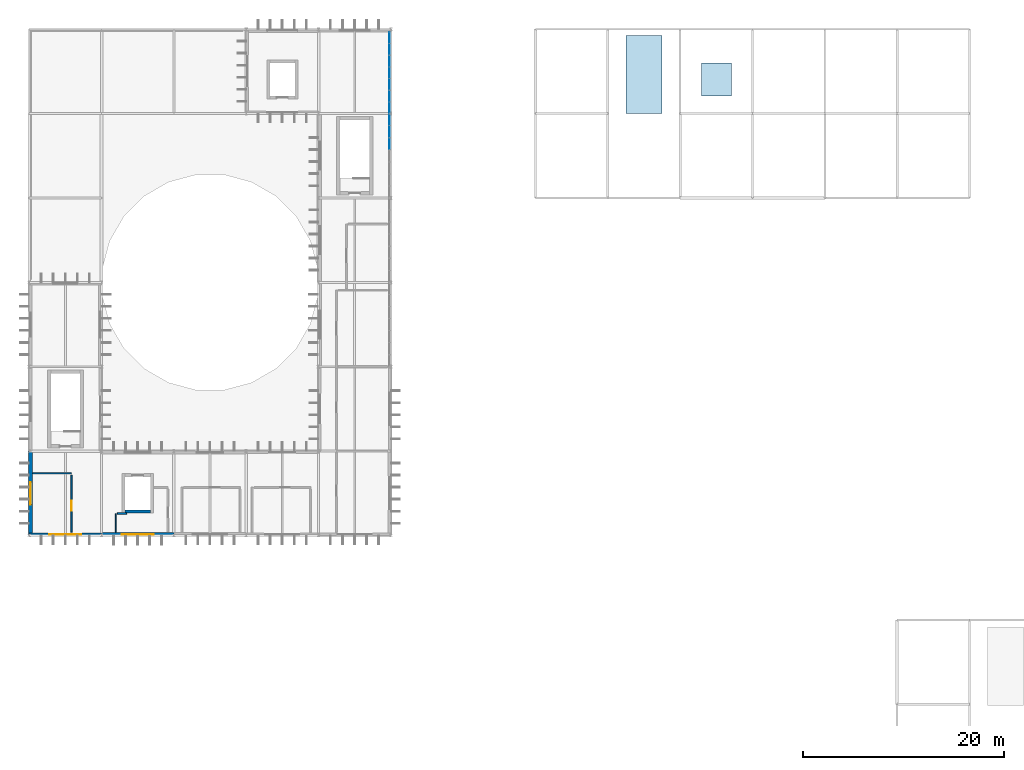
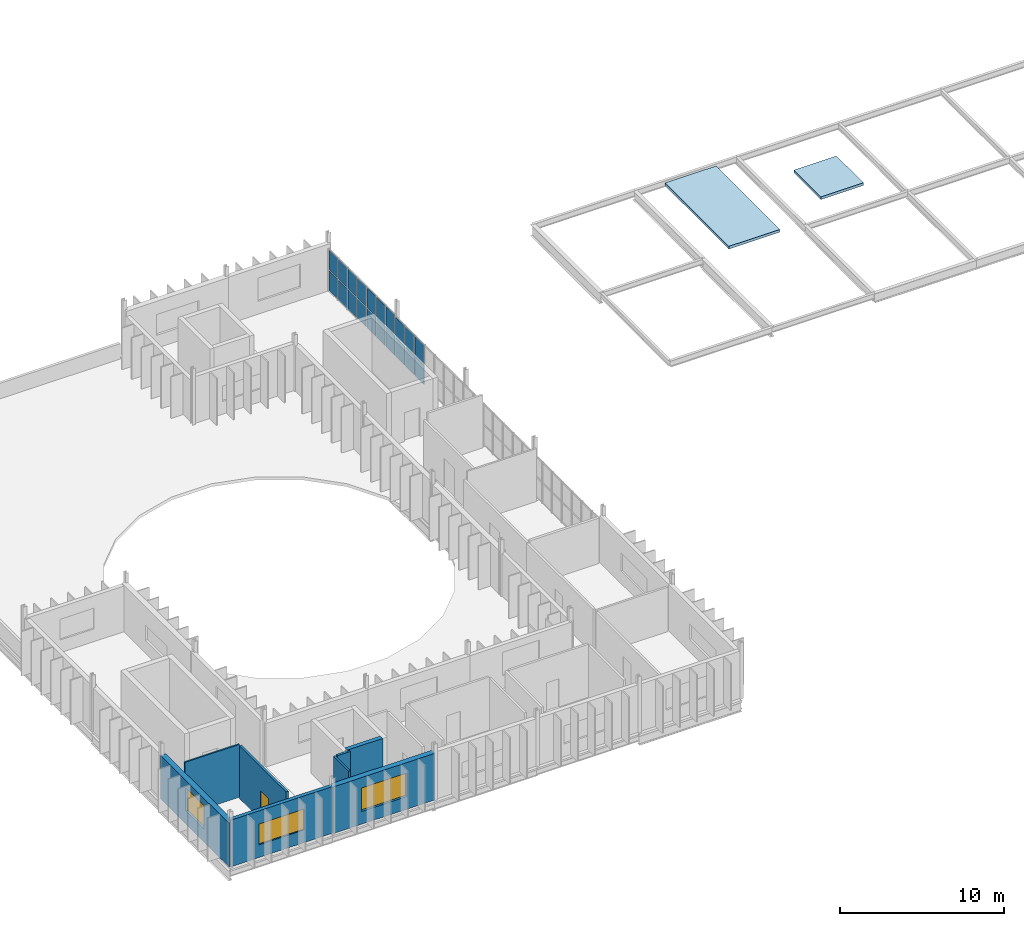
# One storey, part 14 of 18: 20 plates, 8 walls, 3 windows, 2 slabs, 1 door, 4 openings, 2 elements without a shape of their own.
"""IFC4 building model written with IfcOpenShell, lengths in metres."""

from ifc_helpers import new_model, si_unit, direction, frame, frame_2d, origin, origin_2d, place, context, subcontext, project, spatial, polyline, rectangle, outline, extrude, material, layer, layer_set, type_object, element, fill, aggregate, save


model = new_model("IFC4")

# Units and contexts
model_context = context("Model", 3, precision=1e-05, world=origin(), true_north=direction((0.0, 1.0)))
body_context = subcontext(model_context, "Body", "Model", "MODEL_VIEW")
ifc_project = project(units=[si_unit("LENGTHUNIT", "METRE"), si_unit("AREAUNIT", "SQUARE_METRE"), si_unit("VOLUMEUNIT", "CUBIC_METRE"), si_unit("PLANEANGLEUNIT", "RADIAN"), si_unit("MASSUNIT", "GRAM", prefix="KILO")], contexts=[model_context])

# Site, building, storey
site_placement = place(None, origin())
site = spatial("IfcSite", under=ifc_project, at=site_placement, CompositionType="ELEMENT")
building_placement = place(site_placement, origin())
building = spatial("IfcBuilding", under=site, at=building_placement, Name="Qelthora Terrace Specialist Clinic", CompositionType="ELEMENT")
storey_placement = place(building_placement, frame((0.0, 0.0, 21.60009765625)))
storey = spatial("IfcBuildingStorey", under=building, at=storey_placement, Name="L05", CompositionType="ELEMENT", Elevation=21.60009765625)

# Curtain wall, plates
ifc_material_1 = material(Name="Aluminium anodized bronze", Category="aluminium")
curtain_wall_type = type_object("IfcCurtainWallType", Name="CW-NRS-L05", PredefinedType="NOTDEFINED", material=ifc_material_1)
curtain_wall_1_placement = place(storey_placement, origin())
curtain_wall_1 = element("IfcCurtainWall", 1, at=curtain_wall_1_placement, inside=storey, type_object=curtain_wall_type, Name="Curtain wall CW-L05-270", PredefinedType="NOTDEFINED")
ifc_material_2 = material(Name="Low-E triple-silver insulating glass", Category="glass")
ifc_layer_1 = layer(ifc_material_2, 0.035888671875)
ifc_layer_set_1 = layer_set([ifc_layer_1], Name="Low-E triple-silver insulating glass")
plate_type = type_object("IfcPlateType", Name="CWP-IGU-36", PredefinedType="CURTAIN_PANEL", material=ifc_layer_set_1)
plate_1_placement = place(storey_placement, frame((43.080078125, 97.800048828125, 0.0849609375), z_axis=(0.0, 0.0, 1.0), x_axis=(0.0, 1.0, 0.0)))
plate_1 = element("IfcPlate", 2, at=plate_1_placement, type_object=plate_type, Name="CW-L05-270 glazed panel 9", PredefinedType="CURTAIN_PANEL", context=body_context, shape_type="SweptSolid", body=[
    extrude(rectangle(XDim=1.10009765625, YDim=0.035888671875, at=origin_2d()), origin(), (0.0, 0.0, 1.0), 1.41552734375),
])
plate_2_placement = place(storey_placement, frame((43.080078125, 97.800048828125, 1.59033203125), z_axis=(0.0, 0.0, 1.0), x_axis=(0.0, 1.0, 0.0)))
plate_2 = element("IfcPlate", 3, at=plate_2_placement, type_object=plate_type, Name="CW-L05-270 glazed panel 10", PredefinedType="CURTAIN_PANEL", context=body_context, shape_type="SweptSolid", body=[
    extrude(rectangle(XDim=1.10009765625, YDim=0.035888671875, at=origin_2d()), origin(), (0.0, 0.0, 1.0), 1.41552734375),
])
plate_3_placement = place(storey_placement, frame((43.080078125, 99.0, 0.0849609375), z_axis=(0.0, 0.0, 1.0), x_axis=(0.0, 1.0, 0.0)))
plate_3 = element("IfcPlate", 4, at=plate_3_placement, type_object=plate_type, Name="CW-L05-270 glazed panel 11", PredefinedType="CURTAIN_PANEL", context=body_context, shape_type="SweptSolid", body=[
    extrude(rectangle(XDim=1.10009765625, YDim=0.035888671875, at=origin_2d()), origin(), (0.0, 0.0, 1.0), 1.41552734375),
])
plate_4_placement = place(storey_placement, frame((43.080078125, 99.0, 1.59033203125), z_axis=(0.0, 0.0, 1.0), x_axis=(0.0, 1.0, 0.0)))
plate_4 = element("IfcPlate", 5, at=plate_4_placement, type_object=plate_type, Name="CW-L05-270 glazed panel 12", PredefinedType="CURTAIN_PANEL", context=body_context, shape_type="SweptSolid", body=[
    extrude(rectangle(XDim=1.10009765625, YDim=0.035888671875, at=origin_2d()), origin(), (0.0, 0.0, 1.0), 1.41552734375),
])
plate_5_placement = place(storey_placement, frame((43.080078125, 100.199951171875, 0.0849609375), z_axis=(0.0, 0.0, 1.0), x_axis=(0.0, 1.0, 0.0)))
plate_5 = element("IfcPlate", 6, at=plate_5_placement, type_object=plate_type, Name="CW-L05-270 glazed panel 13", PredefinedType="CURTAIN_PANEL", context=body_context, shape_type="SweptSolid", body=[
    extrude(rectangle(XDim=1.10009765625, YDim=0.035888671875, at=origin_2d()), origin(), (0.0, 0.0, 1.0), 1.41552734375),
])
plate_6_placement = place(storey_placement, frame((43.080078125, 100.199951171875, 1.59033203125), z_axis=(0.0, 0.0, 1.0), x_axis=(0.0, 1.0, 0.0)))
plate_6 = element("IfcPlate", 7, at=plate_6_placement, type_object=plate_type, Name="CW-L05-270 glazed panel 14", PredefinedType="CURTAIN_PANEL", context=body_context, shape_type="SweptSolid", body=[
    extrude(rectangle(XDim=1.10009765625, YDim=0.035888671875, at=origin_2d()), origin(), (0.0, 0.0, 1.0), 1.41552734375),
])
aggregate(curtain_wall_1, [plate_1, plate_2, plate_3, plate_4, plate_5, plate_6])

curtain_wall_2_placement = place(storey_placement, origin())
curtain_wall_2 = element("IfcCurtainWall", 8, at=curtain_wall_2_placement, inside=storey, type_object=curtain_wall_type, Name="Curtain wall CW-L05-271", PredefinedType="NOTDEFINED")
plate_7_placement = place(storey_placement, frame((43.080078125, 101.38134765625, 0.0849609375), z_axis=(0.0, 0.0, 1.0), x_axis=(0.0, 1.0, 0.0)))
plate_7 = element("IfcPlate", 9, at=plate_7_placement, type_object=plate_type, Name="CW-L05-271 glazed panel 1", PredefinedType="CURTAIN_PANEL", context=body_context, shape_type="SweptSolid", body=[
    extrude(rectangle(XDim=1.062744140625, YDim=0.035888671875, at=origin_2d()), origin(), (0.0, 0.0, 1.0), 1.4560546875),
])
plate_8_placement = place(storey_placement, frame((43.080078125, 101.38134765625, 1.630859375), z_axis=(0.0, 0.0, 1.0), x_axis=(0.0, 1.0, 0.0)))
plate_8 = element("IfcPlate", 10, at=plate_8_placement, type_object=plate_type, Name="CW-L05-271 glazed panel 2", PredefinedType="CURTAIN_PANEL", context=body_context, shape_type="SweptSolid", body=[
    extrude(rectangle(XDim=1.062744140625, YDim=0.035888671875, at=origin_2d()), origin(), (0.0, 0.0, 1.0), 1.4560546875),
])
plate_9_placement = place(storey_placement, frame((43.080078125, 102.544189453125, 0.0849609375), z_axis=(0.0, 0.0, 1.0), x_axis=(0.0, 1.0, 0.0)))
plate_9 = element("IfcPlate", 11, at=plate_9_placement, type_object=plate_type, Name="CW-L05-271 glazed panel 3", PredefinedType="CURTAIN_PANEL", context=body_context, shape_type="SweptSolid", body=[
    extrude(rectangle(XDim=1.062744140625, YDim=0.035888671875, at=origin_2d()), origin(), (0.0, 0.0, 1.0), 1.4560546875),
])
plate_10_placement = place(storey_placement, frame((43.080078125, 102.544189453125, 1.630859375), z_axis=(0.0, 0.0, 1.0), x_axis=(0.0, 1.0, 0.0)))
plate_10 = element("IfcPlate", 12, at=plate_10_placement, type_object=plate_type, Name="CW-L05-271 glazed panel 4", PredefinedType="CURTAIN_PANEL", context=body_context, shape_type="SweptSolid", body=[
    extrude(rectangle(XDim=1.062744140625, YDim=0.035888671875, at=origin_2d()), origin(), (0.0, 0.0, 1.0), 1.4560546875),
])
plate_11_placement = place(storey_placement, frame((43.080078125, 103.70703125, 0.0849609375), z_axis=(0.0, 0.0, 1.0), x_axis=(0.0, 1.0, 0.0)))
plate_11 = element("IfcPlate", 13, at=plate_11_placement, type_object=plate_type, Name="CW-L05-271 glazed panel 5", PredefinedType="CURTAIN_PANEL", context=body_context, shape_type="SweptSolid", body=[
    extrude(rectangle(XDim=1.062744140625, YDim=0.035888671875, at=origin_2d()), origin(), (0.0, 0.0, 1.0), 1.4560546875),
])
plate_12_placement = place(storey_placement, frame((43.080078125, 103.70703125, 1.630859375), z_axis=(0.0, 0.0, 1.0), x_axis=(0.0, 1.0, 0.0)))
plate_12 = element("IfcPlate", 14, at=plate_12_placement, type_object=plate_type, Name="CW-L05-271 glazed panel 6", PredefinedType="CURTAIN_PANEL", context=body_context, shape_type="SweptSolid", body=[
    extrude(rectangle(XDim=1.062744140625, YDim=0.035888671875, at=origin_2d()), origin(), (0.0, 0.0, 1.0), 1.4560546875),
])
plate_13_placement = place(storey_placement, frame((43.080078125, 104.8701171875, 0.0849609375), z_axis=(0.0, 0.0, 1.0), x_axis=(0.0, 1.0, 0.0)))
plate_13 = element("IfcPlate", 15, at=plate_13_placement, type_object=plate_type, Name="CW-L05-271 glazed panel 7", PredefinedType="CURTAIN_PANEL", context=body_context, shape_type="SweptSolid", body=[
    extrude(rectangle(XDim=1.062744140625, YDim=0.035888671875, at=origin_2d()), origin(), (0.0, 0.0, 1.0), 1.4560546875),
])
plate_14_placement = place(storey_placement, frame((43.080078125, 104.8701171875, 1.630859375), z_axis=(0.0, 0.0, 1.0), x_axis=(0.0, 1.0, 0.0)))
plate_14 = element("IfcPlate", 16, at=plate_14_placement, type_object=plate_type, Name="CW-L05-271 glazed panel 8", PredefinedType="CURTAIN_PANEL", context=body_context, shape_type="SweptSolid", body=[
    extrude(rectangle(XDim=1.062744140625, YDim=0.035888671875, at=origin_2d()), origin(), (0.0, 0.0, 1.0), 1.4560546875),
])
plate_15_placement = place(storey_placement, frame((43.080078125, 106.032958984375, 0.0849609375), z_axis=(0.0, 0.0, 1.0), x_axis=(0.0, 1.0, 0.0)))
plate_15 = element("IfcPlate", 17, at=plate_15_placement, type_object=plate_type, Name="CW-L05-271 glazed panel 9", PredefinedType="CURTAIN_PANEL", context=body_context, shape_type="SweptSolid", body=[
    extrude(rectangle(XDim=1.062744140625, YDim=0.035888671875, at=origin_2d()), origin(), (0.0, 0.0, 1.0), 1.4560546875),
])
plate_16_placement = place(storey_placement, frame((43.080078125, 106.032958984375, 1.630859375), z_axis=(0.0, 0.0, 1.0), x_axis=(0.0, 1.0, 0.0)))
plate_16 = element("IfcPlate", 18, at=plate_16_placement, type_object=plate_type, Name="CW-L05-271 glazed panel 10", PredefinedType="CURTAIN_PANEL", context=body_context, shape_type="SweptSolid", body=[
    extrude(rectangle(XDim=1.062744140625, YDim=0.035888671875, at=origin_2d()), origin(), (0.0, 0.0, 1.0), 1.4560546875),
])
plate_17_placement = place(storey_placement, frame((43.080078125, 107.19580078125, 0.0849609375), z_axis=(0.0, 0.0, 1.0), x_axis=(0.0, 1.0, 0.0)))
plate_17 = element("IfcPlate", 19, at=plate_17_placement, type_object=plate_type, Name="CW-L05-271 glazed panel 11", PredefinedType="CURTAIN_PANEL", context=body_context, shape_type="SweptSolid", body=[
    extrude(rectangle(XDim=1.062744140625, YDim=0.035888671875, at=origin_2d()), origin(), (0.0, 0.0, 1.0), 1.4560546875),
])
plate_18_placement = place(storey_placement, frame((43.080078125, 107.19580078125, 1.630859375), z_axis=(0.0, 0.0, 1.0), x_axis=(0.0, 1.0, 0.0)))
plate_18 = element("IfcPlate", 20, at=plate_18_placement, type_object=plate_type, Name="CW-L05-271 glazed panel 12", PredefinedType="CURTAIN_PANEL", context=body_context, shape_type="SweptSolid", body=[
    extrude(rectangle(XDim=1.062744140625, YDim=0.035888671875, at=origin_2d()), origin(), (0.0, 0.0, 1.0), 1.4560546875),
])
plate_19_placement = place(storey_placement, frame((43.080078125, 108.358642578125, 0.0849609375), z_axis=(0.0, 0.0, 1.0), x_axis=(0.0, 1.0, 0.0)))
plate_19 = element("IfcPlate", 21, at=plate_19_placement, type_object=plate_type, Name="CW-L05-271 glazed panel 13", PredefinedType="CURTAIN_PANEL", context=body_context, shape_type="SweptSolid", body=[
    extrude(rectangle(XDim=1.062744140625, YDim=0.035888671875, at=origin_2d()), origin(), (0.0, 0.0, 1.0), 1.4560546875),
])
plate_20_placement = place(storey_placement, frame((43.080078125, 108.358642578125, 1.630859375), z_axis=(0.0, 0.0, 1.0), x_axis=(0.0, 1.0, 0.0)))
plate_20 = element("IfcPlate", 22, at=plate_20_placement, type_object=plate_type, Name="CW-L05-271 glazed panel 14", PredefinedType="CURTAIN_PANEL", context=body_context, shape_type="SweptSolid", body=[
    extrude(rectangle(XDim=1.062744140625, YDim=0.035888671875, at=origin_2d()), origin(), (0.0, 0.0, 1.0), 1.4560546875),
])
aggregate(curtain_wall_2, [plate_7, plate_8, plate_9, plate_10, plate_11, plate_12, plate_13, plate_14, plate_15, plate_16, plate_17, plate_18, plate_19, plate_20])

# Slabs
ifc_material_3 = material(Name="Concrete C40/50", Category="concrete")
ifc_layer_2 = layer(ifc_material_3, 0.199951171875)
ifc_layer_set_2 = layer_set([ifc_layer_2], Name="Concrete C40/50")
slab_type = type_object("IfcSlabType", Name="SLB-SHAFTR-200-C40", PredefinedType="ROOF", material=ifc_layer_set_2)
slab_1_placement = place(storey_placement, frame((0.0, 0.0, -0.2001953125)))
element("IfcSlab", 23, at=slab_1_placement, inside=storey, type_object=slab_type, Name="ST-07 core roof slab", PredefinedType="ROOF", context=body_context, shape_type="SweptSolid", body=[
    extrude(outline(polyline([(66.60009765625, 100.800048828125), (70.199951171875, 100.800048828125), (70.199951171875, 108.60009765625), (66.60009765625, 108.60009765625), (66.60009765625, 100.800048828125)])), origin(), (0.0, 0.0, 1.0), 0.2001953125),
])
slab_2_placement = place(storey_placement, frame((0.0, 0.0, -0.2001953125)))
element("IfcSlab", 24, at=slab_2_placement, inside=storey, type_object=slab_type, Name="Lift PL-04 shaft overrun roof lid", PredefinedType="ROOF", context=body_context, shape_type="SweptSolid", body=[
    extrude(outline(polyline([(74.10009765625, 102.550048828125), (77.10009765625, 102.550048828125), (77.10009765625, 105.85009765625), (74.10009765625, 105.85009765625), (74.10009765625, 102.550048828125)])), origin(), (0.0, 0.0, 1.0), 0.2001953125),
])

# Wall
ifc_layer_3 = layer(ifc_material_3, 0.300048828125)
ifc_layer_set_3 = layer_set([ifc_layer_3], Name="Concrete C40/50")
wall_type_1 = type_object("IfcWallType", Name="WAL-CORE-300-C40", PredefinedType="SHEAR", material=ifc_layer_set_3)
wall_1_placement = place(storey_placement, frame((16.75, 61.199951171875, 0.0), z_axis=(0.0, 0.0, 1.0), x_axis=(1.0, 0.0, 0.0)))
element("IfcWall", 25, at=wall_1_placement, inside=storey, type_object=wall_type_1, Name="Lift SL-01 L05 south shaft wall", PredefinedType="SHEAR", context=body_context, shape_type="SweptSolid", body=[
    extrude(rectangle(XDim=2.5, YDim=0.300048828125, at=frame_2d((1.25, 0.0))), origin(), (0.0, 0.0, 1.0), 4.0),
])

# Wall, opening, window
ifc_material_4 = material(Name="Precast concrete C40/50", Category="concrete")
ifc_layer_4 = layer(ifc_material_4, 0.260009765625)
ifc_layer_set_4 = layer_set([ifc_layer_4], Name="Precast concrete C40/50")
wall_type_2 = type_object("IfcWallType", Name="WAL-EXT-260-PC40", PredefinedType="SOLIDWALL", material=ifc_layer_set_4)
wall_2_placement = place(storey_placement, frame((7.199951171875, 58.919921875, 0.0), z_axis=(0.0, 0.0, 1.0), x_axis=(1.0, 0.0, 0.0)))
wall_2 = element("IfcWall", 26, at=wall_2_placement, inside=storey, type_object=wall_type_2, Name="L05 external precast wall 419", PredefinedType="SOLIDWALL", context=body_context, shape_type="SweptSolid", body=[
    extrude(rectangle(XDim=7.199951171875, YDim=0.260009765625, at=frame_2d((3.60009765625, 0.0))), origin(), (0.0, 0.0, 1.0), 3.48193359375),
])
opening_1_placement = place(wall_2_placement, frame((2.0, 0.0, 0.949951171875)))
opening_1 = element("IfcOpeningElement", 27, at=opening_1_placement, cuts=wall_2, Name="Opening WN-L05-375", PredefinedType="OPENING", context=body_context, shape_type="SweptSolid", body=[
    extrude(rectangle(XDim=3.199951171875, YDim=1.550048828125, at=frame_2d((1.60009765625, 0.77490234375))), frame((0.0, 0.139892578125, 0.0), z_axis=(0.0, -1.0, 0.0), x_axis=(1.0, 0.0, 0.0)), (0.0, 0.0, 1.0), 0.280029296875),
])
window_type_1 = type_object("IfcWindowType", Name="WIN-3200X1550", PartitioningType="DOUBLE_PANEL_VERTICAL", PredefinedType="WINDOW", material=ifc_material_2)
window_1_placement = place(opening_1_placement, origin())
window_1 = element("IfcWindow", 28, at=window_1_placement, inside=storey, type_object=window_type_1, Name="Clinical window WN-L05-375", OverallHeight=1.550048828125, OverallWidth=3.199951171875, PartitioningType="SINGLE_PANEL", PredefinedType="WINDOW", context=body_context, shape_type="SweptSolid", body=[
    extrude(rectangle(XDim=3.199951171875, YDim=1.550048828125, at=frame_2d((1.60009765625, 0.77490234375))), frame((0.0, 0.030029296875, 0.0), z_axis=(0.0, -1.0, 0.0), x_axis=(1.0, 0.0, 0.0)), (0.0, 0.0, 1.0), 0.06005859375),
])
fill(opening_1, window_1)

ifc_layer_5 = layer(ifc_material_4, 0.3798828125)
ifc_layer_set_5 = layer_set([ifc_layer_5], Name="Precast concrete C40/50")
wall_type_3 = type_object("IfcWallType", Name="WAL-EXT-380-PC40", PredefinedType="SOLIDWALL", material=ifc_layer_set_5)
wall_3_placement = place(storey_placement, frame((7.320068359375, 58.800048828125, 0.0), z_axis=(0.0, 0.0, 1.0), x_axis=(0.0, 1.0, 0.0)))
wall_3 = element("IfcWall", 29, at=wall_3_placement, inside=storey, type_object=wall_type_3, Name="L05 external precast wall 400", PredefinedType="SOLIDWALL", context=body_context, shape_type="SweptSolid", body=[
    extrude(rectangle(XDim=8.39990234375, YDim=0.3798828125, at=frame_2d((4.199951171875, 0.0))), origin(), (0.0, 0.0, 1.0), 3.2490234375),
])
opening_2_placement = place(wall_3_placement, frame((3.074951171875, 0.0, 0.949951171875)))
opening_2 = element("IfcOpeningElement", 30, at=opening_2_placement, cuts=wall_3, Name="Opening WN-L05-356", PredefinedType="OPENING", context=body_context, shape_type="SweptSolid", body=[
    extrude(rectangle(XDim=2.25, YDim=1.75, at=frame_2d((1.125, 0.875))), frame((0.0, 0.199951171875, 0.0), z_axis=(0.0, -1.0, 0.0), x_axis=(1.0, 0.0, 0.0)), (0.0, 0.0, 1.0), 0.39990234375),
])
window_type_2 = type_object("IfcWindowType", Name="WIN-2250X1750", PartitioningType="DOUBLE_PANEL_VERTICAL", PredefinedType="WINDOW", material=ifc_material_2)
window_2_placement = place(opening_2_placement, origin())
window_2 = element("IfcWindow", 31, at=window_2_placement, inside=storey, type_object=window_type_2, Name="Clinical window WN-L05-356", OverallHeight=1.75, OverallWidth=2.25, PartitioningType="SINGLE_PANEL", PredefinedType="WINDOW", context=body_context, shape_type="SweptSolid", body=[
    extrude(rectangle(XDim=2.25, YDim=1.75, at=frame_2d((1.125, 0.875))), frame((0.0, 0.030029296875, 0.0), z_axis=(0.0, -1.0, 0.0), x_axis=(1.0, 0.0, 0.0)), (0.0, 0.0, 1.0), 0.06005859375),
])
fill(opening_2, window_2)

wall_4_placement = place(storey_placement, frame((14.39990234375, 58.919921875, 0.0), z_axis=(0.0, 0.0, 1.0), x_axis=(1.0, 0.0, 0.0)))
wall_4 = element("IfcWall", 32, at=wall_4_placement, inside=storey, type_object=wall_type_3, Name="L05 external precast wall 420", PredefinedType="SOLIDWALL", context=body_context, shape_type="SweptSolid", body=[
    extrude(rectangle(XDim=7.2001953125, YDim=0.3798828125, at=frame_2d((3.60009765625, 0.0))), origin(), (0.0, 0.0, 1.0), 3.48193359375),
])
opening_3_placement = place(wall_4_placement, frame((2.0, 0.0, 0.949951171875)))
opening_3 = element("IfcOpeningElement", 33, at=opening_3_placement, cuts=wall_4, Name="Opening WN-L05-376", PredefinedType="OPENING", context=body_context, shape_type="SweptSolid", body=[
    extrude(rectangle(XDim=3.199951171875, YDim=1.75, at=frame_2d((1.60009765625, 0.875))), frame((0.0, 0.199951171875, 0.0), z_axis=(0.0, -1.0, 0.0), x_axis=(1.0, 0.0, 0.0)), (0.0, 0.0, 1.0), 0.39990234375),
])
window_type_3 = type_object("IfcWindowType", Name="WIN-3200X1750", PartitioningType="DOUBLE_PANEL_VERTICAL", PredefinedType="WINDOW", material=ifc_material_2)
window_3_placement = place(opening_3_placement, origin())
window_3 = element("IfcWindow", 34, at=window_3_placement, inside=storey, type_object=window_type_3, Name="Clinical window WN-L05-376", OverallHeight=1.75, OverallWidth=3.199951171875, PartitioningType="SINGLE_PANEL", PredefinedType="WINDOW", context=body_context, shape_type="SweptSolid", body=[
    extrude(rectangle(XDim=3.199951171875, YDim=1.75, at=frame_2d((1.60009765625, 0.875))), frame((0.0, 0.030029296875, 0.0), z_axis=(0.0, -1.0, 0.0), x_axis=(1.0, 0.0, 0.0)), (0.0, 0.0, 1.0), 0.06005859375),
])
fill(opening_3, window_3)

# Wall
ifc_material_5 = material(Name="Gypsum fire-rated wallboard", Category="gypsum")
ifc_layer_6 = layer(ifc_material_5, 0.179931640625)
ifc_layer_set_6 = layer_set([ifc_layer_6], Name="Gypsum fire-rated wallboard")
wall_type_4 = type_object("IfcWallType", Name="WAL-INT-CLN-180", PredefinedType="PARTITIONING", material=ifc_layer_set_6)
wall_5_placement = place(storey_placement, frame((15.97998046875, 60.989990234375, 0.0), z_axis=(0.0, 0.0, 1.0), x_axis=(1.0, 0.0, 0.0)))
element("IfcWall", 35, at=wall_5_placement, inside=storey, type_object=wall_type_4, Name="Interior clinical partition IWAL-L05-0398", PredefinedType="PARTITIONING", context=body_context, shape_type="SweptSolid", body=[
    extrude(rectangle(XDim=0.909912109375, YDim=0.179931640625, at=frame_2d((0.455078125, 0.0))), origin(), (0.0, 0.0, 1.0), 3.94482421875),
])

# Wall, opening, door
ifc_layer_7 = layer(ifc_material_5, 0.159912109375)
ifc_layer_set_7 = layer_set([ifc_layer_7], Name="Gypsum fire-rated wallboard")
wall_type_5 = type_object("IfcWallType", Name="WAL-INT-COR-160", PredefinedType="PARTITIONING", material=ifc_layer_set_7)
wall_6_placement = place(storey_placement, frame((11.39990234375, 64.820068359375, 0.0), z_axis=(0.0, 0.0, 1.0), x_axis=(0.0, -1.0, 0.0)))
wall_6 = element("IfcWall", 36, at=wall_6_placement, inside=storey, type_object=wall_type_5, Name="Interior clinical partition IWAL-L05-0394", PredefinedType="PARTITIONING", context=body_context, shape_type="SweptSolid", body=[
    extrude(rectangle(XDim=5.68017578125, YDim=0.159912109375, at=frame_2d((2.840087890625, 0.0))), origin(), (0.0, 0.0, 1.0), 3.94482421875),
])
opening_4_placement = place(wall_6_placement, frame((2.5400390625, 0.0, 0.0)))
opening_4 = element("IfcOpeningElement", 37, at=opening_4_placement, cuts=wall_6, Name="Opening DI-L05-0158", PredefinedType="OPENING", context=body_context, shape_type="SweptSolid", body=[
    extrude(rectangle(XDim=1.0, YDim=2.14990234375, at=frame_2d((0.5, 1.074951171875))), frame((0.0, 0.08984375, 0.0), z_axis=(0.0, -1.0, 0.0), x_axis=(1.0, 0.0, 0.0)), (0.0, 0.0, 1.0), 0.179931640625),
])
ifc_material_6 = material(Name="Glulam timber GL28h", Category="wood")
door_type = type_object("IfcDoorType", Name="DOR-CON-1000X2150", OperationType="NOTDEFINED", PredefinedType="DOOR", material=ifc_material_6)
door_placement = place(opening_4_placement, frame((1.0, 0.0, 0.0), z_axis=(0.0, 0.0, 1.0), x_axis=(-1.0, 0.0, 0.0)))
door = element("IfcDoor", 38, at=door_placement, inside=storey, type_object=door_type, Name="Interior clinical door DI-L05-0158", OperationType="SINGLE_SWING_LEFT", OverallHeight=2.14990234375, OverallWidth=1.0, PredefinedType="DOOR", context=body_context, shape_type="SweptSolid", body=[
    extrude(rectangle(XDim=1.0, YDim=2.14990234375, at=frame_2d((0.5, 1.074951171875))), frame((0.0, 0.02490234375, 0.0), z_axis=(0.0, -1.0, 0.0), x_axis=(1.0, 0.0, 0.0)), (0.0, 0.0, 1.0), 0.050048828125),
])
fill(opening_4, door)

# Walls
ifc_layer_8 = layer(ifc_material_2, 0.110107421875)
ifc_layer_set_8 = layer_set([ifc_layer_8], Name="Low-E triple-silver insulating glass")
wall_type_6 = type_object("IfcWallType", Name="WAL-INT-GLA-110", PredefinedType="MOVABLE", material=ifc_layer_set_8)
wall_7_placement = place(storey_placement, frame((7.5400390625, 65.0, 0.0), z_axis=(0.0, 0.0, 1.0), x_axis=(1.0, 0.0, 0.0)))
element("IfcWall", 39, at=wall_7_placement, inside=storey, type_object=wall_type_6, Name="Interior clinical partition IWAL-L05-0393", PredefinedType="MOVABLE", context=body_context, shape_type="SweptSolid", body=[
    extrude(rectangle(XDim=3.85986328125, YDim=0.110107421875, at=frame_2d((1.929931640625, 0.0))), origin(), (0.0, 0.0, 1.0), 3.94482421875),
])
ifc_material_7 = material(Name="Gypsum acoustic wallboard", Category="gypsum")
ifc_layer_9 = layer(ifc_material_7, 0.1201171875)
ifc_layer_set_9 = layer_set([ifc_layer_9], Name="Gypsum acoustic wallboard")
wall_type_7 = type_object("IfcWallType", Name="WAL-INT-STD-120", PredefinedType="PARTITIONING", material=ifc_layer_set_9)
wall_8_placement = place(storey_placement, frame((15.800048828125, 59.139892578125, 0.0), z_axis=(0.0, 0.0, 1.0), x_axis=(0.0, 1.0, 0.0)))
element("IfcWall", 40, at=wall_8_placement, inside=storey, type_object=wall_type_7, Name="Interior clinical partition IWAL-L05-0397", PredefinedType="PARTITIONING", context=body_context, shape_type="SweptSolid", body=[
    extrude(rectangle(XDim=1.85009765625, YDim=0.1201171875, at=frame_2d((0.925048828125, 0.0))), origin(), (0.0, 0.0, 1.0), 3.94482421875),
])

save(model, "model.ifc")
